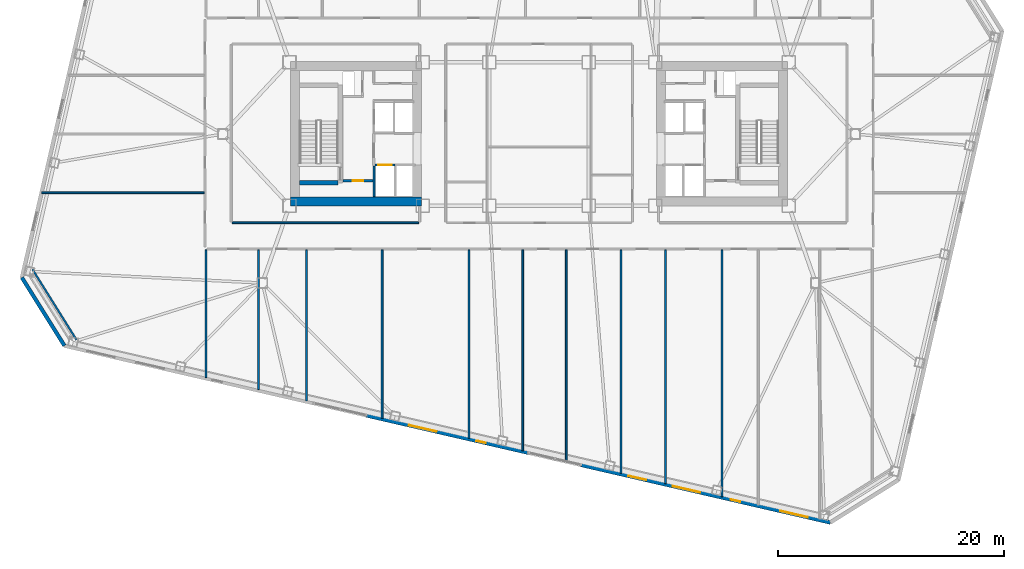
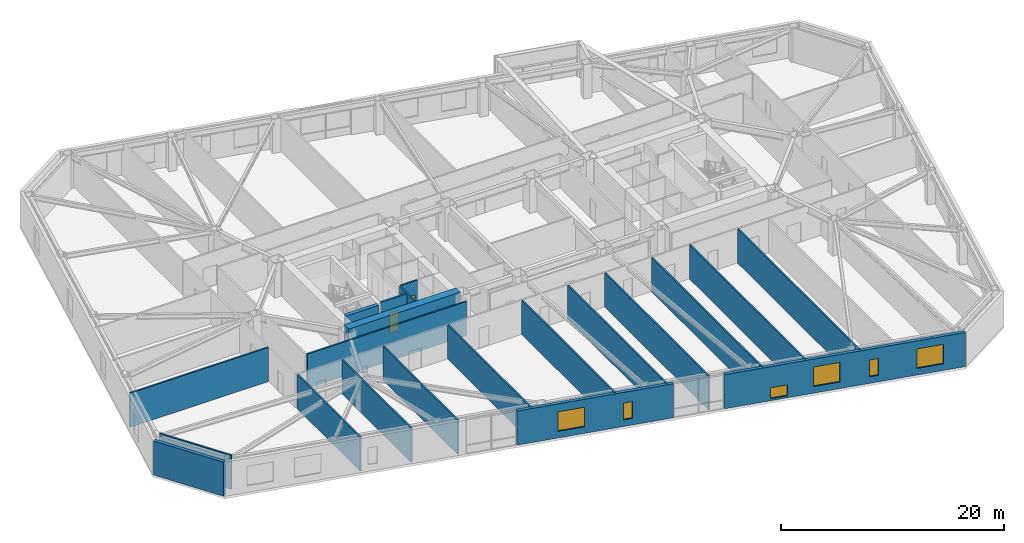
# One storey, part 13 of 23: 21 walls, 6 windows, 2 doors, 8 openings.
"""IFC4 building model written with IfcOpenShell, lengths in metres."""

from ifc_helpers import new_model, si_unit, direction, frame, frame_2d, origin, place, context, subcontext, project, spatial, rectangle, extrude, material, layer, layer_set, type_object, element, fill, save


model = new_model("IFC4")

# Units and contexts
model_context = context("Model", 3, precision=1e-05, world=origin(), true_north=direction((0.0, 1.0)))
body_context = subcontext(model_context, "Body", "Model", "MODEL_VIEW")
ifc_project = project(units=[si_unit("LENGTHUNIT", "METRE"), si_unit("AREAUNIT", "SQUARE_METRE"), si_unit("VOLUMEUNIT", "CUBIC_METRE"), si_unit("PLANEANGLEUNIT", "RADIAN"), si_unit("MASSUNIT", "GRAM", prefix="KILO")], contexts=[model_context])

# Site, building, storey
site_placement = place(None, origin())
site = spatial("IfcSite", under=ifc_project, at=site_placement, CompositionType="ELEMENT")
building_placement = place(site_placement, origin())
building = spatial("IfcBuilding", under=site, at=building_placement, Name="Tavrogorsk Clinical Tower", CompositionType="ELEMENT")
storey_placement = place(building_placement, frame((0.0, 0.0, 63.39990234375)))
storey = spatial("IfcBuildingStorey", under=building, at=storey_placement, Name="L13", CompositionType="ELEMENT", Elevation=63.39990234375)

# Wall, opening, door
ifc_material_1 = material(Name="Concrete B60", Category="concrete")
ifc_layer_1 = layer(ifc_material_1, 0.199951171875)
ifc_layer_set_1 = layer_set([ifc_layer_1], Name="Concrete B60")
wall_type_1 = type_object("IfcWallType", Name="CoreFireWall_200", PredefinedType="SOLIDWALL", material=ifc_layer_set_1)
wall_1_placement = place(storey_placement, frame((-17.3798828125, -4.139892578125, 0.0), z_axis=(0.0, 0.0, 1.0), x_axis=(1.0, 0.0, 0.0)))
wall_1 = element("IfcWall", 1, at=wall_1_placement, inside=storey, type_object=wall_type_1, Name="L13 Core West South Core Room Fire Wall", PredefinedType="SOLIDWALL", context=body_context, shape_type="SweptSolid", body=[
    extrude(rectangle(XDim=2.659912109375, YDim=0.199951171875, at=frame_2d((1.330078125, 0.0))), origin(), (0.0, 0.0, 1.0), 3.739990234375),
])
opening_1_placement = place(wall_1_placement, frame((0.8798828125, 0.0, 0.0)))
opening_1 = element("IfcOpeningElement", 2, at=opening_1_placement, cuts=wall_1, Name="Opening ID-02", PredefinedType="OPENING", context=body_context, shape_type="SweptSolid", body=[
    extrude(rectangle(XDim=0.949951171875, YDim=2.199951171875, at=frame_2d((0.47509765625, 1.10009765625))), frame((0.0, 0.10986328125, 0.0), z_axis=(0.0, -1.0, 0.0), x_axis=(1.0, 0.0, 0.0)), (0.0, 0.0, 1.0), 0.219970703125),
])
ifc_material_2 = material(Name="Laminated timber leaf on aluminium frame", Category="wood")
door_type_1 = type_object("IfcDoorType", Name="InteriorDoor_ID02_950", OperationType="NOTDEFINED", PredefinedType="DOOR", material=ifc_material_2)
door_1_placement = place(opening_1_placement, origin())
door_1 = element("IfcDoor", 3, at=door_1_placement, inside=storey, type_object=door_type_1, Name="L13 Core West South Core Room Door", OperationType="SINGLE_SWING_RIGHT", OverallHeight=2.199951171875, OverallWidth=0.949951171875, PredefinedType="DOOR", context=body_context, shape_type="SweptSolid", body=[
    extrude(rectangle(XDim=0.949951171875, YDim=2.199951171875, at=frame_2d((0.47509765625, 1.10009765625))), frame((0.0, 0.02490234375, 0.0), z_axis=(0.0, -1.0, 0.0), x_axis=(1.0, 0.0, 0.0)), (0.0, 0.0, 1.0), 0.050048828125),
])
fill(opening_1, door_1)

# Walls
ifc_material_3 = material(Name="Lightweight concrete blockwork B15", Category="masonry")
ifc_layer_2 = layer(ifc_material_3, 0.159912109375)
ifc_layer_set_2 = layer_set([ifc_layer_2], Name="Lightweight concrete blockwork B15")
wall_type_2 = type_object("IfcWallType", Name="PartitionWall_160", PredefinedType="PARTITIONING", material=ifc_layer_set_2)
wall_2_placement = place(storey_placement, frame((-44.85986328125, -11.9892578125, 0.0), z_axis=(0.0, 0.0, 1.0), x_axis=(0.52991239767, -0.848052386823, 0.0)))
element("IfcWall", 4, at=wall_2_placement, inside=storey, type_object=wall_type_2, Name="L13 Corner Exoskeleton Brace Furring Wall 4", PredefinedType="PARTITIONING", context=body_context, shape_type="SweptSolid", body=[
    extrude(rectangle(XDim=7.35400390625, YDim=0.159912109375, at=frame_2d((3.677001953125, 0.0))), origin(), (0.0, 0.0, 1.0), 3.739990234375),
])
wall_3_placement = place(storey_placement, frame((-27.18505859375, -7.8701171875, 0.0), z_axis=(0.0, 0.0, 1.0), x_axis=(1.0, 0.0, 0.0)))
element("IfcWall", 5, at=wall_3_placement, inside=storey, type_object=wall_type_2, Name="L13 Corridor Partition 18", PredefinedType="PARTITIONING", context=body_context, shape_type="SweptSolid", body=[
    extrude(rectangle(XDim=16.52001953125, YDim=0.159912109375, at=frame_2d((8.260009765625, 0.0))), origin(), (0.0, 0.0, 1.0), 3.739990234375),
])
wall_4_placement = place(storey_placement, frame((-29.5, -21.570556640625, 0.0), z_axis=(0.0, 0.0, 1.0), x_axis=(0.0, 1.0, 0.0)))
element("IfcWall", 6, at=wall_4_placement, inside=storey, type_object=wall_type_2, Name="L13 SW Wing Closure Partition", PredefinedType="PARTITIONING", context=body_context, shape_type="SweptSolid", body=[
    extrude(rectangle(XDim=11.3056640625, YDim=0.159912109375, at=frame_2d((5.65283203125, 0.0))), origin(), (0.0, 0.0, 1.0), 3.739990234375),
])
wall_5_placement = place(storey_placement, frame((-24.85009765625, -22.64404296875, 0.0), z_axis=(0.0, 0.0, 1.0), x_axis=(0.0, 1.0, 0.0)))
element("IfcWall", 7, at=wall_5_placement, inside=storey, type_object=wall_type_2, Name="L13 South Room Partition 1", PredefinedType="PARTITIONING", context=body_context, shape_type="SweptSolid", body=[
    extrude(rectangle(XDim=12.379150390625, YDim=0.159912109375, at=frame_2d((6.189453125, 0.0))), origin(), (0.0, 0.0, 1.0), 3.739990234375),
])
wall_6_placement = place(storey_placement, frame((-20.60009765625, -23.625244140625, 0.0), z_axis=(0.0, 0.0, 1.0), x_axis=(0.0, 1.0, 0.0)))
element("IfcWall", 8, at=wall_6_placement, inside=storey, type_object=wall_type_2, Name="L13 South Room Partition 2", PredefinedType="PARTITIONING", context=body_context, shape_type="SweptSolid", body=[
    extrude(rectangle(XDim=13.3603515625, YDim=0.159912109375, at=frame_2d((6.68017578125, 0.0))), origin(), (0.0, 0.0, 1.0), 3.739990234375),
])
wall_7_placement = place(storey_placement, frame((-13.89990234375, -25.172119140625, 0.0), z_axis=(0.0, 0.0, 1.0), x_axis=(0.0, 1.0, 0.0)))
element("IfcWall", 9, at=wall_7_placement, inside=storey, type_object=wall_type_2, Name="L13 South Room Partition 3", PredefinedType="PARTITIONING", context=body_context, shape_type="SweptSolid", body=[
    extrude(rectangle(XDim=14.9072265625, YDim=0.159912109375, at=frame_2d((7.45361328125, 0.0))), origin(), (0.0, 0.0, 1.0), 3.739990234375),
])
wall_8_placement = place(storey_placement, frame((-6.199951171875, -26.94970703125, 0.0), z_axis=(0.0, 0.0, 1.0), x_axis=(0.0, 1.0, 0.0)))
element("IfcWall", 10, at=wall_8_placement, inside=storey, type_object=wall_type_2, Name="L13 South Room Partition 4", PredefinedType="PARTITIONING", context=body_context, shape_type="SweptSolid", body=[
    extrude(rectangle(XDim=16.684814453125, YDim=0.159912109375, at=frame_2d((8.34228515625, 0.0))), origin(), (0.0, 0.0, 1.0), 3.739990234375),
])
wall_9_placement = place(storey_placement, frame((2.39990234375, -28.935302734375, 0.0), z_axis=(0.0, 0.0, 1.0), x_axis=(0.0, 1.0, 0.0)))
element("IfcWall", 11, at=wall_9_placement, inside=storey, type_object=wall_type_2, Name="L13 South Room Partition 5", PredefinedType="PARTITIONING", context=body_context, shape_type="SweptSolid", body=[
    extrude(rectangle(XDim=18.67041015625, YDim=0.159912109375, at=frame_2d((9.335205078125, 0.0))), origin(), (0.0, 0.0, 1.0), 3.739990234375),
])
wall_10_placement = place(storey_placement, frame((11.199951171875, -30.966796875, 0.0), z_axis=(0.0, 0.0, 1.0), x_axis=(0.0, 1.0, 0.0)))
element("IfcWall", 12, at=wall_10_placement, inside=storey, type_object=wall_type_2, Name="L13 South Room Partition 6", PredefinedType="PARTITIONING", context=body_context, shape_type="SweptSolid", body=[
    extrude(rectangle(XDim=20.701904296875, YDim=0.159912109375, at=frame_2d((10.35107421875, 0.0))), origin(), (0.0, 0.0, 1.0), 3.739990234375),
])
wall_11_placement = place(storey_placement, frame((-1.449951171875, -28.04638671875, 0.0), z_axis=(0.0, 0.0, 1.0), x_axis=(0.0, 1.0, 0.0)))
element("IfcWall", 13, at=wall_11_placement, inside=storey, type_object=wall_type_2, Name="L13 South Sub-Partition 5", PredefinedType="PARTITIONING", context=body_context, shape_type="SweptSolid", body=[
    extrude(rectangle(XDim=17.781494140625, YDim=0.159912109375, at=frame_2d((8.890625, 0.0))), origin(), (0.0, 0.0, 1.0), 3.739990234375),
])
wall_12_placement = place(storey_placement, frame((7.25, -30.054931640625, 0.0), z_axis=(0.0, 0.0, 1.0), x_axis=(0.0, 1.0, 0.0)))
element("IfcWall", 14, at=wall_12_placement, inside=storey, type_object=wall_type_2, Name="L13 South Sub-Partition 6", PredefinedType="PARTITIONING", context=body_context, shape_type="SweptSolid", body=[
    extrude(rectangle(XDim=19.7900390625, YDim=0.159912109375, at=frame_2d((9.89501953125, 0.0))), origin(), (0.0, 0.0, 1.0), 3.739990234375),
])
wall_13_placement = place(storey_placement, frame((16.18994140625, -32.118896484375, 0.0), z_axis=(0.0, 0.0, 1.0), x_axis=(0.0, 1.0, 0.0)))
element("IfcWall", 15, at=wall_13_placement, inside=storey, type_object=wall_type_2, Name="L13 South Sub-Partition 7", PredefinedType="PARTITIONING", context=body_context, shape_type="SweptSolid", body=[
    extrude(rectangle(XDim=21.85400390625, YDim=0.159912109375, at=frame_2d((10.927001953125, 0.0))), origin(), (0.0, 0.0, 1.0), 3.739990234375),
])
wall_14_placement = place(storey_placement, frame((-44.0419921875, -5.199951171875, 0.0), z_axis=(0.0, 0.0, 1.0), x_axis=(1.0, 0.0, 0.0)))
element("IfcWall", 16, at=wall_14_placement, inside=storey, type_object=wall_type_2, Name="L13 W Wing Divider 1", PredefinedType="PARTITIONING", context=body_context, shape_type="SweptSolid", body=[
    extrude(rectangle(XDim=14.376953125, YDim=0.159912109375, at=frame_2d((7.1884765625, 0.0))), origin(), (0.0, 0.0, 1.0), 3.739990234375),
])

# Wall, openings, windows
ifc_material_4 = material(Name="Precast concrete B45 with limestone cladding", Category="masonry")
ifc_layer_3 = layer(ifc_material_4, 0.340087890625)
ifc_layer_set_3 = layer_set([ifc_layer_3], Name="Precast concrete B45 with limestone cladding")
wall_type_3 = type_object("IfcWallType", Name="PrecastLimestoneWall_340", PredefinedType="STANDARD", material=ifc_layer_set_3)
wall_15_placement = place(storey_placement, frame((-15.28076171875, -24.925048828125, 0.0), z_axis=(0.0, 0.0, 1.0), x_axis=(0.974370193991, -0.22495049469, 0.0)))
wall_15 = element("IfcWall", 17, at=wall_15_placement, inside=storey, type_object=wall_type_3, Name="L13 S Limestone Facade Wall 2", PredefinedType="STANDARD", context=body_context, shape_type="SweptSolid", body=[
    extrude(rectangle(XDim=14.697265625, YDim=0.340087890625, at=frame_2d((7.3486328125, 0.0))), origin(), (0.0, 0.0, 1.0), 3.739990234375),
])
opening_2_placement = place(wall_15_placement, frame((3.8564453125, 0.0, 0.719970703125)))
opening_2 = element("IfcOpeningElement", 18, at=opening_2_placement, cuts=wall_15, Name="Opening WN-11", PredefinedType="OPENING", context=body_context, shape_type="SweptSolid", body=[
    extrude(rectangle(XDim=2.5, YDim=2.14990234375, at=frame_2d((1.25, 1.074951171875))), frame((0.0, 0.179931640625, 0.0), z_axis=(0.0, -1.0, 0.0), x_axis=(1.0, 0.0, 0.0)), (0.0, 0.0, 1.0), 0.360107421875),
])
opening_3_placement = place(wall_15_placement, frame((9.99072265625, 0.0, 0.719970703125)))
opening_3 = element("IfcOpeningElement", 19, at=opening_3_placement, cuts=wall_15, Name="Opening WN-06", PredefinedType="OPENING", context=body_context, shape_type="SweptSolid", body=[
    extrude(rectangle(XDim=0.85009765625, YDim=1.85009765625, at=frame_2d((0.425048828125, 0.925048828125))), frame((0.0, 0.179931640625, 0.0), z_axis=(0.0, -1.0, 0.0), x_axis=(1.0, 0.0, 0.0)), (0.0, 0.0, 1.0), 0.360107421875),
])
ifc_material_5 = material(Name="Thermally broken aluminium frame and triple IGU", Category="aluminium")
window_type_1 = type_object("IfcWindowType", Name="MullionSubWin_850x1850", PartitioningType="SINGLE_PANEL", PredefinedType="WINDOW", material=ifc_material_5)
window_1_placement = place(opening_3_placement, origin())
window_1 = element("IfcWindow", 20, at=window_1_placement, inside=storey, type_object=window_type_1, Name="L13 S Mullion Split Window 06B", OverallHeight=1.85009765625, OverallWidth=0.85009765625, PartitioningType="SINGLE_PANEL", PredefinedType="WINDOW", context=body_context, shape_type="SweptSolid", body=[
    extrude(rectangle(XDim=0.85009765625, YDim=1.85009765625, at=frame_2d((0.425048828125, 0.925048828125))), frame((0.0, 0.030029296875, 0.0), z_axis=(0.0, -1.0, 0.0), x_axis=(1.0, 0.0, 0.0)), (0.0, 0.0, 1.0), 0.06005859375),
])
fill(opening_3, window_1)
ifc_material_6 = material(Name="Thermally broken aluminium frame and triple IGU", Category="aluminium")
window_type_2 = type_object("IfcWindowType", Name="StepDownWin_2500x2150", PartitioningType="TRIPLE_PANEL_HORIZONTAL", PredefinedType="WINDOW", material=ifc_material_6)
window_2_placement = place(opening_2_placement, origin())
window_2 = element("IfcWindow", 21, at=window_2_placement, inside=storey, type_object=window_type_2, Name="L13 S Chicago Window 05", OverallHeight=2.14990234375, OverallWidth=2.5, PartitioningType="SINGLE_PANEL", PredefinedType="WINDOW", context=body_context, shape_type="SweptSolid", body=[
    extrude(rectangle(XDim=2.5, YDim=2.14990234375, at=frame_2d((1.25, 1.074951171875))), frame((0.0, 0.030029296875, 0.0), z_axis=(0.0, -1.0, 0.0), x_axis=(1.0, 0.0, 0.0)), (0.0, 0.0, 1.0), 0.06005859375),
])
fill(opening_2, window_2)

wall_16_placement = place(storey_placement, frame((3.716796875, -29.31103515625, 0.0), z_axis=(0.0, 0.0, 1.0), x_axis=(0.97436993772, -0.224951604723, 0.0)))
wall_16 = element("IfcWall", 22, at=wall_16_placement, inside=storey, type_object=wall_type_3, Name="L13 S Limestone Facade Wall 3", PredefinedType="STANDARD", context=body_context, shape_type="SweptSolid", body=[
    extrude(rectangle(XDim=22.6513671875, YDim=0.340087890625, at=frame_2d((11.32568359375, 0.0))), origin(), (0.0, 0.0, 1.0), 3.739990234375),
])
opening_4_placement = place(wall_16_placement, frame((4.306396484375, 0.0, 0.219970703125)))
opening_4 = element("IfcOpeningElement", 23, at=opening_4_placement, cuts=wall_16, Name="Opening WN-09", PredefinedType="OPENING", context=body_context, shape_type="SweptSolid", body=[
    extrude(rectangle(XDim=1.60009765625, YDim=1.199951171875, at=frame_2d((0.800048828125, 0.60009765625))), frame((0.0, 0.179931640625, 0.0), z_axis=(0.0, -1.0, 0.0), x_axis=(1.0, 0.0, 0.0)), (0.0, 0.0, 1.0), 0.360107421875),
])
opening_5_placement = place(wall_16_placement, frame((8.3408203125, 0.0, 0.719970703125)))
opening_5 = element("IfcOpeningElement", 24, at=opening_5_placement, cuts=wall_16, Name="Opening WN-11", PredefinedType="OPENING", context=body_context, shape_type="SweptSolid", body=[
    extrude(rectangle(XDim=2.5, YDim=2.14990234375, at=frame_2d((1.25, 1.074951171875))), frame((0.0, 0.179931640625, 0.0), z_axis=(0.0, -1.0, 0.0), x_axis=(1.0, 0.0, 0.0)), (0.0, 0.0, 1.0), 0.360107421875),
])
opening_6_placement = place(wall_16_placement, frame((13.60498046875, 0.0, 0.719970703125)))
opening_6 = element("IfcOpeningElement", 25, at=opening_6_placement, cuts=wall_16, Name="Opening WN-06", PredefinedType="OPENING", context=body_context, shape_type="SweptSolid", body=[
    extrude(rectangle(XDim=0.85009765625, YDim=1.85009765625, at=frame_2d((0.425048828125, 0.925048828125))), frame((0.0, 0.179931640625, 0.0), z_axis=(0.0, -1.0, 0.0), x_axis=(1.0, 0.0, 0.0)), (0.0, 0.0, 1.0), 0.360107421875),
])
opening_7_placement = place(wall_16_placement, frame((18.08935546875, 0.0, 0.719970703125)))
opening_7 = element("IfcOpeningElement", 26, at=opening_7_placement, cuts=wall_16, Name="Opening WN-11", PredefinedType="OPENING", context=body_context, shape_type="SweptSolid", body=[
    extrude(rectangle(XDim=2.5, YDim=2.14990234375, at=frame_2d((1.25, 1.074951171875))), frame((0.0, 0.179931640625, 0.0), z_axis=(0.0, -1.0, 0.0), x_axis=(1.0, 0.0, 0.0)), (0.0, 0.0, 1.0), 0.360107421875),
])
ifc_material_7 = material(Name="Thermally broken aluminium frame and triple IGU", Category="aluminium")
window_type_3 = type_object("IfcWindowType", Name="LowHeadTransWin_1600x1200", PartitioningType="DOUBLE_PANEL_VERTICAL", PredefinedType="WINDOW", material=ifc_material_7)
window_3_placement = place(opening_4_placement, origin())
window_3 = element("IfcWindow", 27, at=window_3_placement, inside=storey, type_object=window_type_3, Name="L13 S Chicago Window 07", OverallHeight=1.199951171875, OverallWidth=1.60009765625, PartitioningType="SINGLE_PANEL", PredefinedType="WINDOW", context=body_context, shape_type="SweptSolid", body=[
    extrude(rectangle(XDim=1.60009765625, YDim=1.199951171875, at=frame_2d((0.800048828125, 0.60009765625))), frame((0.0, 0.030029296875, 0.0), z_axis=(0.0, -1.0, 0.0), x_axis=(1.0, 0.0, 0.0)), (0.0, 0.0, 1.0), 0.06005859375),
])
fill(opening_4, window_3)
window_4_placement = place(opening_6_placement, origin())
window_4 = element("IfcWindow", 28, at=window_4_placement, inside=storey, type_object=window_type_1, Name="L13 S Mullion Split Window 09A", OverallHeight=1.85009765625, OverallWidth=0.85009765625, PartitioningType="SINGLE_PANEL", PredefinedType="WINDOW", context=body_context, shape_type="SweptSolid", body=[
    extrude(rectangle(XDim=0.85009765625, YDim=1.85009765625, at=frame_2d((0.425048828125, 0.925048828125))), frame((0.0, 0.030029296875, 0.0), z_axis=(0.0, -1.0, 0.0), x_axis=(1.0, 0.0, 0.0)), (0.0, 0.0, 1.0), 0.06005859375),
])
fill(opening_6, window_4)
window_5_placement = place(opening_5_placement, origin())
window_5 = element("IfcWindow", 29, at=window_5_placement, inside=storey, type_object=window_type_2, Name="L13 S Chicago Window 08", OverallHeight=2.14990234375, OverallWidth=2.5, PartitioningType="SINGLE_PANEL", PredefinedType="WINDOW", context=body_context, shape_type="SweptSolid", body=[
    extrude(rectangle(XDim=2.5, YDim=2.14990234375, at=frame_2d((1.25, 1.074951171875))), frame((0.0, 0.030029296875, 0.0), z_axis=(0.0, -1.0, 0.0), x_axis=(1.0, 0.0, 0.0)), (0.0, 0.0, 1.0), 0.06005859375),
])
fill(opening_5, window_5)
window_6_placement = place(opening_7_placement, origin())
window_6 = element("IfcWindow", 30, at=window_6_placement, inside=storey, type_object=window_type_2, Name="L13 S Chicago Window 10", OverallHeight=2.14990234375, OverallWidth=2.5, PartitioningType="SINGLE_PANEL", PredefinedType="WINDOW", context=body_context, shape_type="SweptSolid", body=[
    extrude(rectangle(XDim=2.5, YDim=2.14990234375, at=frame_2d((1.25, 1.074951171875))), frame((0.0, 0.030029296875, 0.0), z_axis=(0.0, -1.0, 0.0), x_axis=(1.0, 0.0, 0.0)), (0.0, 0.0, 1.0), 0.06005859375),
])
fill(opening_7, window_6)

# Wall
wall_17_placement = place(storey_placement, frame((-45.798095703125, -12.71728515625, 0.0), z_axis=(0.0, 0.0, 1.0), x_axis=(0.529906387556, -0.848056142261, 0.0)))
element("IfcWall", 31, at=wall_17_placement, inside=storey, type_object=wall_type_3, Name="L13 Chamfered Corner Wall 4", PredefinedType="STANDARD", context=body_context, shape_type="SweptSolid", body=[
    extrude(rectangle(XDim=7.113525390625, YDim=0.340087890625, at=frame_2d((3.556640625, 0.0))), origin(), (0.0, 0.0, 1.0), 3.739990234375),
])

# Wall, opening, door
ifc_material_8 = material(Name="Lightweight concrete blockwork B25", Category="masonry")
ifc_layer_4 = layer(ifc_material_8, 0.159912109375)
ifc_layer_set_4 = layer_set([ifc_layer_4], Name="Lightweight concrete blockwork B25")
wall_type_4 = type_object("IfcWallType", Name="ShaftWall_160", PredefinedType="PARTITIONING", material=ifc_layer_set_4)
wall_18_placement = place(storey_placement, frame((-14.530029296875, -2.75, 0.0), z_axis=(0.0, 0.0, 1.0), x_axis=(1.0, 0.0, 0.0)))
wall_18 = element("IfcWall", 32, at=wall_18_placement, inside=storey, type_object=wall_type_4, Name="L13 LP-L1 Lift Shaft Portal Wall", PredefinedType="PARTITIONING", context=body_context, shape_type="SweptSolid", body=[
    extrude(rectangle(XDim=1.760009765625, YDim=0.159912109375, at=frame_2d((0.8798828125, 0.0))), origin(), (0.0, 0.0, 1.0), 3.739990234375),
])
opening_8_placement = place(wall_18_placement, frame((0.280029296875, 0.0, 0.0)))
opening_8 = element("IfcOpeningElement", 33, at=opening_8_placement, cuts=wall_18, Name="Opening LD", PredefinedType="OPENING", context=body_context, shape_type="SweptSolid", body=[
    extrude(rectangle(XDim=1.199951171875, YDim=2.199951171875, at=frame_2d((0.60009765625, 1.10009765625))), frame((0.0, 0.08984375, 0.0), z_axis=(0.0, -1.0, 0.0), x_axis=(1.0, 0.0, 0.0)), (0.0, 0.0, 1.0), 0.179931640625),
])
ifc_material_9 = material(Name="Brushed stainless steel AISI 304 sliding doors", Category="steel")
door_type_2 = type_object("IfcDoorType", Name="LiftLandingDoor_LD_1200", OperationType="SLIDING_TO_LEFT", PredefinedType="DOOR", material=ifc_material_9)
door_2_placement = place(opening_8_placement, origin())
door_2 = element("IfcDoor", 34, at=door_2_placement, inside=storey, type_object=door_type_2, Name="L13 LP-L1 Sliding Lift Landing Door", OperationType="SLIDING_TO_LEFT", OverallHeight=2.199951171875, OverallWidth=1.199951171875, PredefinedType="DOOR", context=body_context, shape_type="SweptSolid", body=[
    extrude(rectangle(XDim=1.199951171875, YDim=2.199951171875, at=frame_2d((0.60009765625, 1.10009765625))), frame((0.0, 0.02490234375, 0.0), z_axis=(0.0, -1.0, 0.0), x_axis=(1.0, 0.0, 0.0)), (0.0, 0.0, 1.0), 0.050048828125),
])
fill(opening_8, door_2)

# Walls
wall_19_placement = place(storey_placement, frame((-14.610107421875, -5.5400390625, 0.0), z_axis=(0.0, 0.0, 1.0), x_axis=(0.0, 1.0, 0.0)))
element("IfcWall", 35, at=wall_19_placement, inside=storey, type_object=wall_type_4, Name="L13 LP-L1 Lift Hoistway Outer Cheek Wall", PredefinedType="PARTITIONING", context=body_context, shape_type="SweptSolid", body=[
    extrude(rectangle(XDim=2.699951171875, YDim=0.159912109375, at=frame_2d((1.35009765625, 0.0))), origin(), (0.0, 0.0, 1.0), 3.739990234375),
])
ifc_material_10 = material(Name="Concrete B80", Category="concrete")
ifc_layer_5 = layer(ifc_material_10, 0.39990234375)
ifc_layer_set_5 = layer_set([ifc_layer_5], Name="Concrete B80")
wall_type_5 = type_object("IfcWallType", Name="ShearWall_400", PredefinedType="SHEAR", material=ifc_layer_set_5)
wall_20_placement = place(storey_placement, frame((-21.199951171875, -4.324951171875, 0.0), z_axis=(0.0, 0.0, 1.0), x_axis=(1.0, 0.0, 0.0)))
element("IfcWall", 36, at=wall_20_placement, inside=storey, type_object=wall_type_5, Name="L13 Core West Stair Shaft South Shear Wall", PredefinedType="SHEAR", context=body_context, shape_type="SweptSolid", body=[
    extrude(rectangle(XDim=3.39990234375, YDim=0.39990234375, at=frame_2d((1.699951171875, 0.0))), origin(), (0.0, 0.0, 1.0), 3.739990234375),
])
ifc_material_11 = material(Name="Concrete B80", Category="concrete")
ifc_layer_6 = layer(ifc_material_11, 0.800048828125)
ifc_layer_set_6 = layer_set([ifc_layer_6], Name="Concrete B80")
wall_type_6 = type_object("IfcWallType", Name="ShearWall_800", PredefinedType="SHEAR", material=ifc_layer_set_6)
wall_21_placement = place(storey_placement, frame((-22.0, -6.0, 0.0), z_axis=(0.0, 0.0, 1.0), x_axis=(1.0, 0.0, 0.0)))
element("IfcWall", 37, at=wall_21_placement, inside=storey, type_object=wall_type_6, Name="L13 Core West South Shear Wall", PredefinedType="SHEAR", context=body_context, shape_type="SweptSolid", body=[
    extrude(rectangle(XDim=11.60009765625, YDim=0.800048828125, at=frame_2d((5.800048828125, 0.0))), origin(), (0.0, 0.0, 1.0), 3.739990234375),
])

save(model, "model.ifc")
